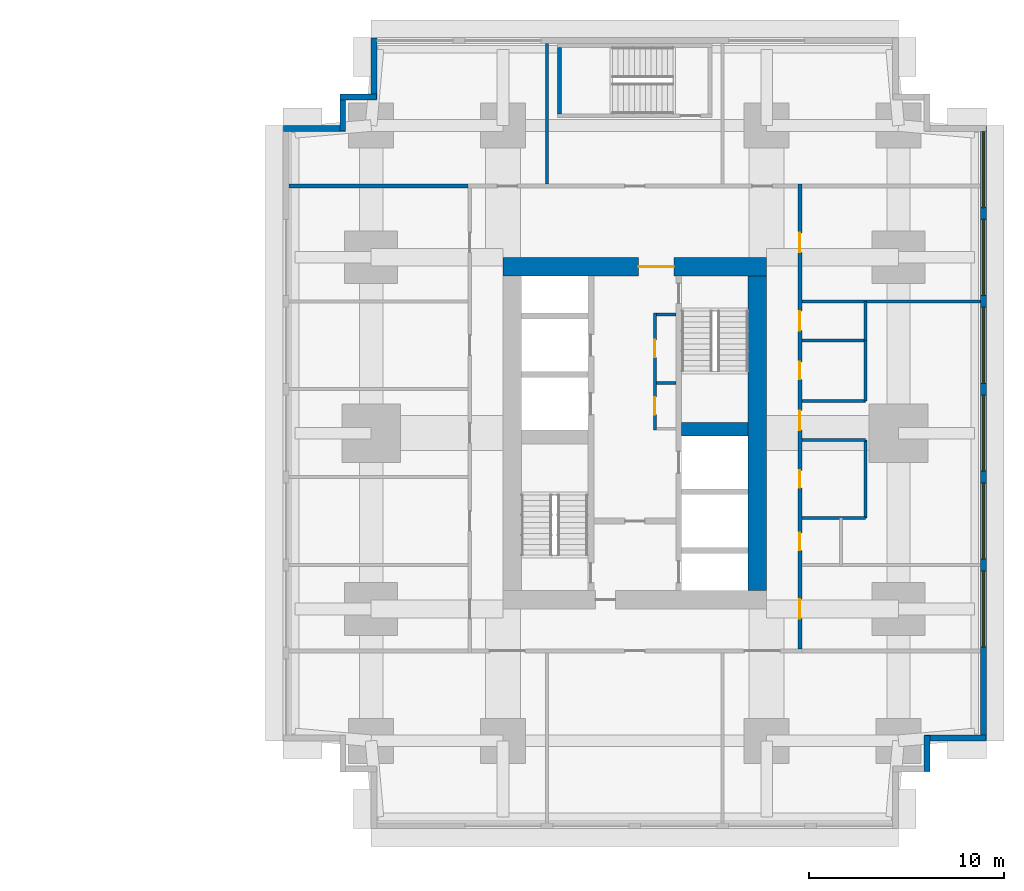
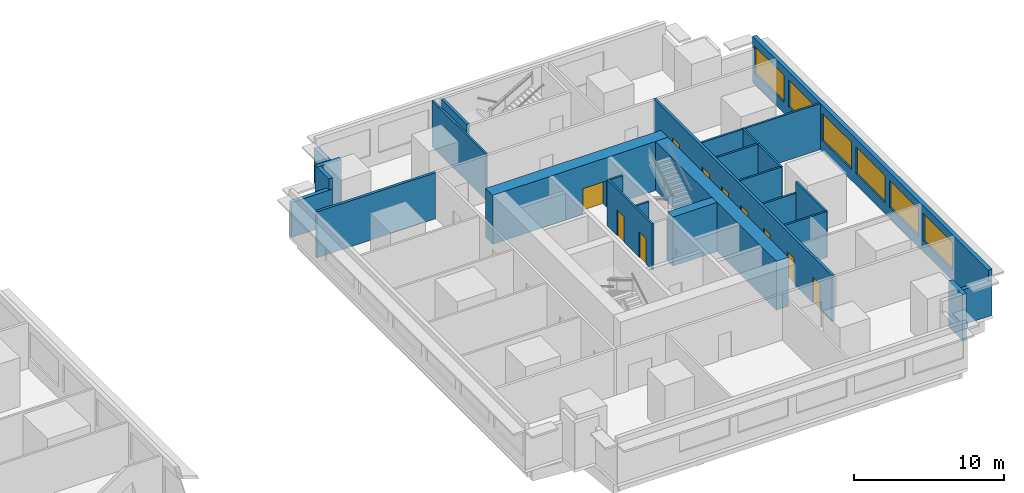
# One storey, part 7 of 11: 25 walls, 10 doors, 6 windows, 16 openings.
"""IFC4 building model written with IfcOpenShell, lengths in metres."""

from ifc_helpers import new_model, si_unit, direction, frame, frame_2d, origin, place, context, subcontext, project, spatial, rectangle, extrude, material, layer, layer_set, type_object, element, fill, save


model = new_model("IFC4")

# Units and contexts
model_context = context("Model", 3, precision=1e-05, world=origin(), true_north=direction((0.0, 1.0)))
body_context = subcontext(model_context, "Body", "Model", "MODEL_VIEW")
ifc_project = project(units=[si_unit("LENGTHUNIT", "METRE"), si_unit("AREAUNIT", "SQUARE_METRE"), si_unit("VOLUMEUNIT", "CUBIC_METRE"), si_unit("PLANEANGLEUNIT", "RADIAN"), si_unit("MASSUNIT", "GRAM", prefix="KILO")], contexts=[model_context])

# Site, building, storey
site_placement = place(None, origin())
site = spatial("IfcSite", under=ifc_project, at=site_placement, CompositionType="ELEMENT")
building_placement = place(site_placement, origin())
building = spatial("IfcBuilding", under=site, at=building_placement, Name="Namib Vertical Campus", CompositionType="ELEMENT")
storey_placement = place(building_placement, frame((0.0, 0.0, 33.0)))
storey = spatial("IfcBuildingStorey", under=building, at=storey_placement, Name="L07", CompositionType="ELEMENT", Elevation=33.0)

# Walls
ifc_material_1 = material(Name="Concrete C60/75", Category="concrete")
ifc_layer_1 = layer(ifc_material_1, 0.699951171875)
ifc_layer_set_1 = layer_set([ifc_layer_1], Name="Concrete C60/75")
wall_type_1 = type_object("IfcWallType", Name="Core shear wall 700", PredefinedType="SHEAR", material=ifc_layer_set_1)
wall_1_placement = place(storey_placement, frame((83.39990234375, 20.449951171875, 0.0), z_axis=(0.0, 0.0, 1.0), x_axis=(1.0, 0.0, 0.0)))
element("IfcWall", 1, at=wall_1_placement, inside=storey, type_object=wall_type_1, Name="Core shear wall B L07 W7", PredefinedType="SHEAR", context=body_context, shape_type="SweptSolid", body=[
    extrude(rectangle(XDim=3.400146484375, YDim=0.699951171875, at=frame_2d((1.7001953125, 0.0))), origin(), (0.0, 0.0, 1.0), 4.0),
])
ifc_material_2 = material(Name="Concrete C60/75", Category="concrete")
ifc_layer_2 = layer(ifc_material_2, 0.949951171875)
ifc_layer_set_2 = layer_set([ifc_layer_2], Name="Concrete C60/75")
wall_type_2 = type_object("IfcWallType", Name="Core wall 950", PredefinedType="SHEAR", material=ifc_layer_set_2)
wall_2_placement = place(storey_placement, frame((87.27490234375, 12.199951171875, 0.0), z_axis=(0.0, 0.0, 1.0), x_axis=(0.0, 1.0, 0.0)))
element("IfcWall", 2, at=wall_2_placement, inside=storey, type_object=wall_type_2, Name="Core wall B L07 2", PredefinedType="SHEAR", context=body_context, shape_type="SweptSolid", body=[
    extrude(rectangle(XDim=16.10009765625, YDim=0.949951171875, at=frame_2d((8.050048828125, 0.0))), origin(), (0.0, 0.0, 1.0), 4.0),
])

# Wall, opening, door
wall_3_placement = place(storey_placement, frame((87.75, 28.77490234375, 0.0), z_axis=(0.0, 0.0, 1.0), x_axis=(-1.0, 0.0, 0.0)))
wall_3 = element("IfcWall", 3, at=wall_3_placement, inside=storey, type_object=wall_type_2, Name="Core wall B L07 3", PredefinedType="SHEAR", context=body_context, shape_type="SweptSolid", body=[
    extrude(rectangle(XDim=13.5, YDim=0.949951171875, at=frame_2d((6.75, 0.0))), origin(), (0.0, 0.0, 1.0), 4.0),
])
opening_1_placement = place(wall_3_placement, frame((4.75, 0.0, 0.0)))
opening_1 = element("IfcOpeningElement", 4, at=opening_1_placement, cuts=wall_3, Name="Opening FD2", PredefinedType="OPENING", context=body_context, shape_type="SweptSolid", body=[
    extrude(rectangle(XDim=1.800048828125, YDim=2.10009765625, at=frame_2d((0.89990234375, 1.050048828125))), frame((0.0, 0.48486328125, 0.0), z_axis=(0.0, -1.0, 0.0), x_axis=(1.0, 0.0, 0.0)), (0.0, 0.0, 1.0), 0.969970703125),
])
ifc_material_3 = material(Name="Steel fire door", Category="steel")
door_type_1 = type_object("IfcDoorType", Name="Fire door double 1800x2100", OperationType="DOUBLE_DOOR_SINGLE_SWING", PredefinedType="DOOR", material=ifc_material_3)
door_1_placement = place(opening_1_placement, origin())
door_1 = element("IfcDoor", 5, at=door_1_placement, inside=storey, type_object=door_type_1, Name="Lift lobby door FD2 B L07", OperationType="DOUBLE_DOOR_SINGLE_SWING", OverallHeight=2.10009765625, OverallWidth=1.800048828125, PredefinedType="DOOR", context=body_context, shape_type="SweptSolid", body=[
    extrude(rectangle(XDim=1.800048828125, YDim=2.10009765625, at=frame_2d((0.89990234375, 1.050048828125))), frame((0.0, 0.02490234375, 0.0), z_axis=(0.0, -1.0, 0.0), x_axis=(1.0, 0.0, 0.0)), (0.0, 0.0, 1.0), 0.050048828125),
])
fill(opening_1, door_1)

# Wall, openings, doors
ifc_material_4 = material(Name="Concrete masonry", Category="masonry")
ifc_layer_3 = layer(ifc_material_4, 0.199951171875)
ifc_layer_set_3 = layer_set([ifc_layer_3], Name="Corridor wall 200")
wall_type_3 = type_object("IfcWallType", Name="Corridor wall 200", PredefinedType="SOLIDWALL", material=ifc_layer_set_3)
wall_4_placement = place(storey_placement, frame((89.449951171875, 9.199951171875, 0.0), z_axis=(0.0, 0.0, 1.0), x_axis=(0.0, 1.0, 0.0)))
wall_4 = element("IfcWall", 6, at=wall_4_placement, inside=storey, type_object=wall_type_3, Name="Corridor wall B L07 CE", PredefinedType="SOLIDWALL", context=body_context, shape_type="SweptSolid", body=[
    extrude(rectangle(XDim=23.800048828125, YDim=0.199951171875, at=frame_2d((11.89990234375, 0.0))), origin(), (0.0, 0.0, 1.0), 3.75),
])
opening_2_placement = place(wall_4_placement, frame((1.550048828125, 0.0, 0.0)))
opening_2 = element("IfcOpeningElement", 7, at=opening_2_placement, cuts=wall_4, Name="Opening CD1", PredefinedType="OPENING", context=body_context, shape_type="SweptSolid", body=[
    extrude(rectangle(XDim=1.0, YDim=2.10009765625, at=frame_2d((0.5, 1.050048828125))), frame((0.0, 0.10986328125, 0.0), z_axis=(0.0, -1.0, 0.0), x_axis=(1.0, 0.0, 0.0)), (0.0, 0.0, 1.0), 0.219970703125),
])
opening_3_placement = place(wall_4_placement, frame((5.050048828125, 0.0, 0.0)))
opening_3 = element("IfcOpeningElement", 8, at=opening_3_placement, cuts=wall_4, Name="Opening CD3", PredefinedType="OPENING", context=body_context, shape_type="SweptSolid", body=[
    extrude(rectangle(XDim=0.89990234375, YDim=2.10009765625, at=frame_2d((0.449951171875, 1.050048828125))), frame((0.0, 0.10986328125, 0.0), z_axis=(0.0, -1.0, 0.0), x_axis=(1.0, 0.0, 0.0)), (0.0, 0.0, 1.0), 0.219970703125),
])
opening_4_placement = place(wall_4_placement, frame((8.25, 0.0, 0.0)))
opening_4 = element("IfcOpeningElement", 9, at=opening_4_placement, cuts=wall_4, Name="Opening CD3", PredefinedType="OPENING", context=body_context, shape_type="SweptSolid", body=[
    extrude(rectangle(XDim=0.89990234375, YDim=2.10009765625, at=frame_2d((0.449951171875, 1.050048828125))), frame((0.0, 0.10986328125, 0.0), z_axis=(0.0, -1.0, 0.0), x_axis=(1.0, 0.0, 0.0)), (0.0, 0.0, 1.0), 0.219970703125),
])
opening_5_placement = place(wall_4_placement, frame((13.800048828125, 0.0, 0.0)))
opening_5 = element("IfcOpeningElement", 10, at=opening_5_placement, cuts=wall_4, Name="Opening CD3", PredefinedType="OPENING", context=body_context, shape_type="SweptSolid", body=[
    extrude(rectangle(XDim=0.89990234375, YDim=2.10009765625, at=frame_2d((0.449951171875, 1.050048828125))), frame((0.0, 0.10986328125, 0.0), z_axis=(0.0, -1.0, 0.0), x_axis=(1.0, 0.0, 0.0)), (0.0, 0.0, 1.0), 0.219970703125),
])
opening_6_placement = place(wall_4_placement, frame((16.300048828125, 0.0, 0.0)))
opening_6 = element("IfcOpeningElement", 11, at=opening_6_placement, cuts=wall_4, Name="Opening CD1", PredefinedType="OPENING", context=body_context, shape_type="SweptSolid", body=[
    extrude(rectangle(XDim=1.0, YDim=2.10009765625, at=frame_2d((0.5, 1.050048828125))), frame((0.0, 0.10986328125, 0.0), z_axis=(0.0, -1.0, 0.0), x_axis=(1.0, 0.0, 0.0)), (0.0, 0.0, 1.0), 0.219970703125),
])
opening_7_placement = place(wall_4_placement, frame((11.199951171875, 0.0, 0.0)))
opening_7 = element("IfcOpeningElement", 12, at=opening_7_placement, cuts=wall_4, Name="Opening CD1", PredefinedType="OPENING", context=body_context, shape_type="SweptSolid", body=[
    extrude(rectangle(XDim=1.0, YDim=2.10009765625, at=frame_2d((0.5, 1.050048828125))), frame((0.0, 0.10986328125, 0.0), z_axis=(0.0, -1.0, 0.0), x_axis=(1.0, 0.0, 0.0)), (0.0, 0.0, 1.0), 0.219970703125),
])
opening_8_placement = place(wall_4_placement, frame((20.300048828125, 0.0, 0.0)))
opening_8 = element("IfcOpeningElement", 13, at=opening_8_placement, cuts=wall_4, Name="Opening CD1", PredefinedType="OPENING", context=body_context, shape_type="SweptSolid", body=[
    extrude(rectangle(XDim=1.0, YDim=2.10009765625, at=frame_2d((0.5, 1.050048828125))), frame((0.0, 0.10986328125, 0.0), z_axis=(0.0, -1.0, 0.0), x_axis=(1.0, 0.0, 0.0)), (0.0, 0.0, 1.0), 0.219970703125),
])
ifc_material_5 = material(Name="Timber fire door leaf", Category="wood")
door_type_2 = type_object("IfcDoorType", Name="Corridor door 1000x2100 20 min", OperationType="SINGLE_SWING_LEFT", PredefinedType="DOOR", material=ifc_material_5)
door_2_placement = place(opening_2_placement, frame((1.0, 0.0, 0.0), z_axis=(0.0, 0.0, 1.0), x_axis=(-1.0, 0.0, 0.0)))
door_2 = element("IfcDoor", 14, at=door_2_placement, inside=storey, type_object=door_type_2, Name="Door CD1 B07-04", OperationType="SINGLE_SWING_RIGHT", OverallHeight=2.10009765625, OverallWidth=1.0, PredefinedType="DOOR", context=body_context, shape_type="SweptSolid", body=[
    extrude(rectangle(XDim=1.0, YDim=2.10009765625, at=frame_2d((0.5, 1.050048828125))), frame((0.0, 0.02490234375, 0.0), z_axis=(0.0, -1.0, 0.0), x_axis=(1.0, 0.0, 0.0)), (0.0, 0.0, 1.0), 0.050048828125),
])
fill(opening_2, door_2)
door_3_placement = place(opening_6_placement, frame((1.0, 0.0, 0.0), z_axis=(0.0, 0.0, 1.0), x_axis=(-1.0, 0.0, 0.0)))
door_3 = element("IfcDoor", 15, at=door_3_placement, inside=storey, type_object=door_type_2, Name="Door CD1 B07-08", OperationType="SINGLE_SWING_RIGHT", OverallHeight=2.10009765625, OverallWidth=1.0, PredefinedType="DOOR", context=body_context, shape_type="SweptSolid", body=[
    extrude(rectangle(XDim=1.0, YDim=2.10009765625, at=frame_2d((0.5, 1.050048828125))), frame((0.0, 0.02490234375, 0.0), z_axis=(0.0, -1.0, 0.0), x_axis=(1.0, 0.0, 0.0)), (0.0, 0.0, 1.0), 0.050048828125),
])
fill(opening_6, door_3)
door_4_placement = place(opening_7_placement, frame((1.0, 0.0, 0.0), z_axis=(0.0, 0.0, 1.0), x_axis=(-1.0, 0.0, 0.0)))
door_4 = element("IfcDoor", 16, at=door_4_placement, inside=storey, type_object=door_type_2, Name="Door CD1 B07-09", OperationType="SINGLE_SWING_RIGHT", OverallHeight=2.10009765625, OverallWidth=1.0, PredefinedType="DOOR", context=body_context, shape_type="SweptSolid", body=[
    extrude(rectangle(XDim=1.0, YDim=2.10009765625, at=frame_2d((0.5, 1.050048828125))), frame((0.0, 0.02490234375, 0.0), z_axis=(0.0, -1.0, 0.0), x_axis=(1.0, 0.0, 0.0)), (0.0, 0.0, 1.0), 0.050048828125),
])
fill(opening_7, door_4)
door_5_placement = place(opening_8_placement, frame((1.0, 0.0, 0.0), z_axis=(0.0, 0.0, 1.0), x_axis=(-1.0, 0.0, 0.0)))
door_5 = element("IfcDoor", 17, at=door_5_placement, inside=storey, type_object=door_type_2, Name="Door CD1 B07-10", OperationType="SINGLE_SWING_RIGHT", OverallHeight=2.10009765625, OverallWidth=1.0, PredefinedType="DOOR", context=body_context, shape_type="SweptSolid", body=[
    extrude(rectangle(XDim=1.0, YDim=2.10009765625, at=frame_2d((0.5, 1.050048828125))), frame((0.0, 0.02490234375, 0.0), z_axis=(0.0, -1.0, 0.0), x_axis=(1.0, 0.0, 0.0)), (0.0, 0.0, 1.0), 0.050048828125),
])
fill(opening_8, door_5)
ifc_material_6 = material(Name="Timber fire door leaf", Category="wood")
door_type_3 = type_object("IfcDoorType", Name="Corridor toilet door 900x2100 20 min", OperationType="SINGLE_SWING_LEFT", PredefinedType="DOOR", material=ifc_material_6)
door_6_placement = place(opening_3_placement, frame((0.89990234375, 0.0, 0.0), z_axis=(0.0, 0.0, 1.0), x_axis=(-1.0, 0.0, 0.0)))
door_6 = element("IfcDoor", 18, at=door_6_placement, inside=storey, type_object=door_type_3, Name="Door CD3 B07-05", OperationType="SINGLE_SWING_RIGHT", OverallHeight=2.10009765625, OverallWidth=0.89990234375, PredefinedType="DOOR", context=body_context, shape_type="SweptSolid", body=[
    extrude(rectangle(XDim=0.89990234375, YDim=2.10009765625, at=frame_2d((0.449951171875, 1.050048828125))), frame((0.0, 0.02490234375, 0.0), z_axis=(0.0, -1.0, 0.0), x_axis=(1.0, 0.0, 0.0)), (0.0, 0.0, 1.0), 0.050048828125),
])
fill(opening_3, door_6)
door_7_placement = place(opening_4_placement, frame((0.89990234375, 0.0, 0.0), z_axis=(0.0, 0.0, 1.0), x_axis=(-1.0, 0.0, 0.0)))
door_7 = element("IfcDoor", 19, at=door_7_placement, inside=storey, type_object=door_type_3, Name="Door CD3 B07-06", OperationType="SINGLE_SWING_RIGHT", OverallHeight=2.10009765625, OverallWidth=0.89990234375, PredefinedType="DOOR", context=body_context, shape_type="SweptSolid", body=[
    extrude(rectangle(XDim=0.89990234375, YDim=2.10009765625, at=frame_2d((0.449951171875, 1.050048828125))), frame((0.0, 0.02490234375, 0.0), z_axis=(0.0, -1.0, 0.0), x_axis=(1.0, 0.0, 0.0)), (0.0, 0.0, 1.0), 0.050048828125),
])
fill(opening_4, door_7)
door_8_placement = place(opening_5_placement, frame((0.89990234375, 0.0, 0.0), z_axis=(0.0, 0.0, 1.0), x_axis=(-1.0, 0.0, 0.0)))
door_8 = element("IfcDoor", 20, at=door_8_placement, inside=storey, type_object=door_type_3, Name="Door CD3 B07-07", OperationType="SINGLE_SWING_RIGHT", OverallHeight=2.10009765625, OverallWidth=0.89990234375, PredefinedType="DOOR", context=body_context, shape_type="SweptSolid", body=[
    extrude(rectangle(XDim=0.89990234375, YDim=2.10009765625, at=frame_2d((0.449951171875, 1.050048828125))), frame((0.0, 0.02490234375, 0.0), z_axis=(0.0, -1.0, 0.0), x_axis=(1.0, 0.0, 0.0)), (0.0, 0.0, 1.0), 0.050048828125),
])
fill(opening_5, door_8)

# Walls
wall_5_placement = place(storey_placement, frame((63.300048828125, 32.89990234375, 0.0), z_axis=(0.0, 0.0, 1.0), x_axis=(1.0, 0.0, 0.0)))
element("IfcWall", 21, at=wall_5_placement, inside=storey, type_object=wall_type_3, Name="Partition B L07 BNW", PredefinedType="SOLIDWALL", context=body_context, shape_type="SweptSolid", body=[
    extrude(rectangle(XDim=9.14990234375, YDim=0.199951171875, at=frame_2d((4.574951171875, 0.0))), origin(), (0.0, 0.0, 1.0), 3.75),
])
ifc_material_7 = material(Name="Concrete C40/50", Category="concrete")
ifc_layer_4 = layer(ifc_material_7, 0.300048828125)
ifc_layer_set_4 = layer_set([ifc_layer_4], Name="Concrete C40/50")
wall_type_4 = type_object("IfcWallType", Name="External wall 300 board-marked concrete", PredefinedType="STANDARD", material=ifc_layer_set_4)
wall_6_placement = place(storey_placement, frame((95.949951171875, 2.919921875, 0.0), z_axis=(0.0, 0.0, 1.0), x_axis=(0.0, 1.0, 0.0)))
element("IfcWall", 22, at=wall_6_placement, inside=storey, type_object=wall_type_4, Name="External wall L07 F04", PredefinedType="STANDARD", context=body_context, shape_type="SweptSolid", body=[
    extrude(rectangle(XDim=1.860107421875, YDim=0.300048828125, at=frame_2d((0.93017578125, 0.0))), origin(), (0.0, 0.0, 1.0), 3.75),
])
wall_7_placement = place(storey_placement, frame((95.820068359375, 4.64990234375, 0.0), z_axis=(0.0, 0.0, 1.0), x_axis=(1.0, 0.0, 0.0)))
element("IfcWall", 23, at=wall_7_placement, inside=storey, type_object=wall_type_4, Name="External wall L07 F05", PredefinedType="STANDARD", context=body_context, shape_type="SweptSolid", body=[
    extrude(rectangle(XDim=3.159912109375, YDim=0.300048828125, at=frame_2d((1.580078125, 0.0))), origin(), (0.0, 0.0, 1.0), 2.85009765625),
])

# Wall, openings, windows
wall_8_placement = place(storey_placement, frame((98.85009765625, 4.52001953125, 0.0), z_axis=(0.0, 0.0, 1.0), x_axis=(0.0, 1.0, 0.0)))
wall_8 = element("IfcWall", 24, at=wall_8_placement, inside=storey, type_object=wall_type_4, Name="External wall L07 F06", PredefinedType="STANDARD", context=body_context, shape_type="SweptSolid", body=[
    extrude(rectangle(XDim=31.4599609375, YDim=0.300048828125, at=frame_2d((15.72998046875, 0.0))), origin(), (0.0, 0.0, 1.0), 3.75),
])
opening_9_placement = place(wall_8_placement, frame((4.780029296875, 0.0, 0.89990234375)))
opening_9 = element("IfcOpeningElement", 25, at=opening_9_placement, cuts=wall_8, Name="Opening W1", PredefinedType="OPENING", context=body_context, shape_type="SweptSolid", body=[
    extrude(rectangle(XDim=3.89990234375, YDim=2.199951171875, at=frame_2d((1.949951171875, 1.10009765625))), frame((0.0, 0.159912109375, 0.0), z_axis=(0.0, -1.0, 0.0), x_axis=(1.0, 0.0, 0.0)), (0.0, 0.0, 1.0), 0.320068359375),
])
opening_10_placement = place(wall_8_placement, frame((9.280029296875, 0.0, 0.89990234375)))
opening_10 = element("IfcOpeningElement", 26, at=opening_10_placement, cuts=wall_8, Name="Opening W1", PredefinedType="OPENING", context=body_context, shape_type="SweptSolid", body=[
    extrude(rectangle(XDim=3.89990234375, YDim=2.199951171875, at=frame_2d((1.949951171875, 1.10009765625))), frame((0.0, 0.159912109375, 0.0), z_axis=(0.0, -1.0, 0.0), x_axis=(1.0, 0.0, 0.0)), (0.0, 0.0, 1.0), 0.320068359375),
])
opening_11_placement = place(wall_8_placement, frame((13.780029296875, 0.0, 0.89990234375)))
opening_11 = element("IfcOpeningElement", 27, at=opening_11_placement, cuts=wall_8, Name="Opening W1", PredefinedType="OPENING", context=body_context, shape_type="SweptSolid", body=[
    extrude(rectangle(XDim=3.89990234375, YDim=2.199951171875, at=frame_2d((1.949951171875, 1.10009765625))), frame((0.0, 0.159912109375, 0.0), z_axis=(0.0, -1.0, 0.0), x_axis=(1.0, 0.0, 0.0)), (0.0, 0.0, 1.0), 0.320068359375),
])
opening_12_placement = place(wall_8_placement, frame((18.280029296875, 0.0, 0.89990234375)))
opening_12 = element("IfcOpeningElement", 28, at=opening_12_placement, cuts=wall_8, Name="Opening W1", PredefinedType="OPENING", context=body_context, shape_type="SweptSolid", body=[
    extrude(rectangle(XDim=3.89990234375, YDim=2.199951171875, at=frame_2d((1.949951171875, 1.10009765625))), frame((0.0, 0.159912109375, 0.0), z_axis=(0.0, -1.0, 0.0), x_axis=(1.0, 0.0, 0.0)), (0.0, 0.0, 1.0), 0.320068359375),
])
opening_13_placement = place(wall_8_placement, frame((22.780029296875, 0.0, 0.89990234375)))
opening_13 = element("IfcOpeningElement", 29, at=opening_13_placement, cuts=wall_8, Name="Opening W1", PredefinedType="OPENING", context=body_context, shape_type="SweptSolid", body=[
    extrude(rectangle(XDim=3.89990234375, YDim=2.199951171875, at=frame_2d((1.949951171875, 1.10009765625))), frame((0.0, 0.159912109375, 0.0), z_axis=(0.0, -1.0, 0.0), x_axis=(1.0, 0.0, 0.0)), (0.0, 0.0, 1.0), 0.320068359375),
])
opening_14_placement = place(wall_8_placement, frame((27.280029296875, 0.0, 0.89990234375)))
opening_14 = element("IfcOpeningElement", 30, at=opening_14_placement, cuts=wall_8, Name="Opening W1", PredefinedType="OPENING", context=body_context, shape_type="SweptSolid", body=[
    extrude(rectangle(XDim=3.89990234375, YDim=2.199951171875, at=frame_2d((1.949951171875, 1.10009765625))), frame((0.0, 0.159912109375, 0.0), z_axis=(0.0, -1.0, 0.0), x_axis=(1.0, 0.0, 0.0)), (0.0, 0.0, 1.0), 0.320068359375),
])
ifc_material_8 = material(Name="Dark tinted glass in black aluminium frame", Category="aluminium")
window_type = type_object("IfcWindowType", Name="Ribbon window 3900x2200", PartitioningType="SINGLE_PANEL", PredefinedType="WINDOW", material=ifc_material_8)
window_1_placement = place(opening_9_placement, origin())
window_1 = element("IfcWindow", 31, at=window_1_placement, inside=storey, type_object=window_type, Name="Window W1 L07 F06-2", OverallHeight=2.199951171875, OverallWidth=3.89990234375, PartitioningType="SINGLE_PANEL", PredefinedType="WINDOW", context=body_context, shape_type="SweptSolid", body=[
    extrude(rectangle(XDim=3.89990234375, YDim=2.199951171875, at=frame_2d((1.949951171875, 1.10009765625))), frame((0.0, 0.030029296875, 0.0), z_axis=(0.0, -1.0, 0.0), x_axis=(1.0, 0.0, 0.0)), (0.0, 0.0, 1.0), 0.06005859375),
])
fill(opening_9, window_1)
window_2_placement = place(opening_10_placement, origin())
window_2 = element("IfcWindow", 32, at=window_2_placement, inside=storey, type_object=window_type, Name="Window W1 L07 F06-3", OverallHeight=2.199951171875, OverallWidth=3.89990234375, PartitioningType="SINGLE_PANEL", PredefinedType="WINDOW", context=body_context, shape_type="SweptSolid", body=[
    extrude(rectangle(XDim=3.89990234375, YDim=2.199951171875, at=frame_2d((1.949951171875, 1.10009765625))), frame((0.0, 0.030029296875, 0.0), z_axis=(0.0, -1.0, 0.0), x_axis=(1.0, 0.0, 0.0)), (0.0, 0.0, 1.0), 0.06005859375),
])
fill(opening_10, window_2)
window_3_placement = place(opening_11_placement, origin())
window_3 = element("IfcWindow", 33, at=window_3_placement, inside=storey, type_object=window_type, Name="Window W1 L07 F06-4", OverallHeight=2.199951171875, OverallWidth=3.89990234375, PartitioningType="SINGLE_PANEL", PredefinedType="WINDOW", context=body_context, shape_type="SweptSolid", body=[
    extrude(rectangle(XDim=3.89990234375, YDim=2.199951171875, at=frame_2d((1.949951171875, 1.10009765625))), frame((0.0, 0.030029296875, 0.0), z_axis=(0.0, -1.0, 0.0), x_axis=(1.0, 0.0, 0.0)), (0.0, 0.0, 1.0), 0.06005859375),
])
fill(opening_11, window_3)
window_4_placement = place(opening_12_placement, origin())
window_4 = element("IfcWindow", 34, at=window_4_placement, inside=storey, type_object=window_type, Name="Window W1 L07 F06-5", OverallHeight=2.199951171875, OverallWidth=3.89990234375, PartitioningType="SINGLE_PANEL", PredefinedType="WINDOW", context=body_context, shape_type="SweptSolid", body=[
    extrude(rectangle(XDim=3.89990234375, YDim=2.199951171875, at=frame_2d((1.949951171875, 1.10009765625))), frame((0.0, 0.030029296875, 0.0), z_axis=(0.0, -1.0, 0.0), x_axis=(1.0, 0.0, 0.0)), (0.0, 0.0, 1.0), 0.06005859375),
])
fill(opening_12, window_4)
window_5_placement = place(opening_13_placement, origin())
window_5 = element("IfcWindow", 35, at=window_5_placement, inside=storey, type_object=window_type, Name="Window W1 L07 F06-6", OverallHeight=2.199951171875, OverallWidth=3.89990234375, PartitioningType="SINGLE_PANEL", PredefinedType="WINDOW", context=body_context, shape_type="SweptSolid", body=[
    extrude(rectangle(XDim=3.89990234375, YDim=2.199951171875, at=frame_2d((1.949951171875, 1.10009765625))), frame((0.0, 0.030029296875, 0.0), z_axis=(0.0, -1.0, 0.0), x_axis=(1.0, 0.0, 0.0)), (0.0, 0.0, 1.0), 0.06005859375),
])
fill(opening_13, window_5)
window_6_placement = place(opening_14_placement, origin())
window_6 = element("IfcWindow", 36, at=window_6_placement, inside=storey, type_object=window_type, Name="Window W1 L07 F06-7", OverallHeight=2.199951171875, OverallWidth=3.89990234375, PartitioningType="SINGLE_PANEL", PredefinedType="WINDOW", context=body_context, shape_type="SweptSolid", body=[
    extrude(rectangle(XDim=3.89990234375, YDim=2.199951171875, at=frame_2d((1.949951171875, 1.10009765625))), frame((0.0, 0.030029296875, 0.0), z_axis=(0.0, -1.0, 0.0), x_axis=(1.0, 0.0, 0.0)), (0.0, 0.0, 1.0), 0.06005859375),
])
fill(opening_14, window_6)

# Walls
wall_9_placement = place(storey_placement, frame((67.64990234375, 40.47998046875, 0.0), z_axis=(0.0, 0.0, 1.0), x_axis=(0.0, -1.0, 0.0)))
element("IfcWall", 37, at=wall_9_placement, inside=storey, type_object=wall_type_4, Name="External wall L07 F12", PredefinedType="STANDARD", context=body_context, shape_type="SweptSolid", body=[
    extrude(rectangle(XDim=3.159912109375, YDim=0.300048828125, at=frame_2d((1.580078125, 0.0))), origin(), (0.0, 0.0, 1.0), 2.85009765625),
])
for number, where, z_axis, x_axis, name in (
    (38, (67.780029296875, 37.449951171875, 0.0), (0.0, 0.0, 1.0), (-1.0, 0.0, 0.0), "External wall L07 F13"),
    (39, (66.050048828125, 37.580078125, 0.0), (0.0, 0.0, 1.0), (0.0, -1.0, 0.0), "External wall L07 F14"),
):
    element("IfcWall", number, at=place(storey_placement, frame(where, z_axis=z_axis, x_axis=x_axis)), inside=storey, type_object=wall_type_4, Name=name, PredefinedType="STANDARD", context=body_context, shape_type="SweptSolid", body=[
        extrude(rectangle(XDim=1.860107421875, YDim=0.300048828125, at=frame_2d((0.93017578125, 0.0))), origin(), (0.0, 0.0, 1.0), 3.75),
    ])
wall_10_placement = place(storey_placement, frame((66.179931640625, 35.85009765625, 0.0), z_axis=(0.0, 0.0, 1.0), x_axis=(-1.0, 0.0, 0.0)))
element("IfcWall", 40, at=wall_10_placement, inside=storey, type_object=wall_type_4, Name="External wall L07 F15", PredefinedType="STANDARD", context=body_context, shape_type="SweptSolid", body=[
    extrude(rectangle(XDim=3.159912109375, YDim=0.300048828125, at=frame_2d((1.580078125, 0.0))), origin(), (0.0, 0.0, 1.0), 2.85009765625),
])

# Wall, openings, doors
ifc_material_9 = material(Name="Gypsum board on steel studs", Category="steel")
ifc_layer_5 = layer(ifc_material_9, 0.14990234375)
ifc_layer_set_5 = layer_set([ifc_layer_5], Name="Gypsum board on steel studs")
wall_type_5 = type_object("IfcWallType", Name="Partition 150", PredefinedType="PARTITIONING", material=ifc_layer_set_5)
wall_11_placement = place(storey_placement, frame((82.02490234375, 20.39990234375, 0.0), z_axis=(0.0, 0.0, 1.0), x_axis=(0.0, 1.0, 0.0)))
wall_11 = element("IfcWall", 41, at=wall_11_placement, inside=storey, type_object=wall_type_5, Name="Partition B L07 Cleaners' store and Tea point front", PredefinedType="PARTITIONING", context=body_context, shape_type="SweptSolid", body=[
    extrude(rectangle(XDim=6.0, YDim=0.14990234375, at=frame_2d((3.0, 0.0))), origin(), (0.0, 0.0, 1.0), 3.75),
])
opening_15_placement = place(wall_11_placement, frame((0.800048828125, 0.0, 0.0)))
opening_15 = element("IfcOpeningElement", 42, at=opening_15_placement, cuts=wall_11, Name="Opening D3", PredefinedType="OPENING", context=body_context, shape_type="SweptSolid", body=[
    extrude(rectangle(XDim=0.89990234375, YDim=2.10009765625, at=frame_2d((0.449951171875, 1.050048828125))), frame((0.0, 0.0849609375, 0.0), z_axis=(0.0, -1.0, 0.0), x_axis=(1.0, 0.0, 0.0)), (0.0, 0.0, 1.0), 0.169921875),
])
opening_16_placement = place(wall_11_placement, frame((3.72509765625, 0.0, 0.0)))
opening_16 = element("IfcOpeningElement", 43, at=opening_16_placement, cuts=wall_11, Name="Opening D3", PredefinedType="OPENING", context=body_context, shape_type="SweptSolid", body=[
    extrude(rectangle(XDim=0.89990234375, YDim=2.10009765625, at=frame_2d((0.449951171875, 1.050048828125))), frame((0.0, 0.0849609375, 0.0), z_axis=(0.0, -1.0, 0.0), x_axis=(1.0, 0.0, 0.0)), (0.0, 0.0, 1.0), 0.169921875),
])
ifc_material_10 = material(Name="Timber door leaf", Category="wood")
door_type_4 = type_object("IfcDoorType", Name="Toilet door 900x2100", OperationType="SINGLE_SWING_LEFT", PredefinedType="DOOR", material=ifc_material_10)
door_9_placement = place(opening_15_placement, frame((0.89990234375, 0.0, 0.0), z_axis=(0.0, 0.0, 1.0), x_axis=(-1.0, 0.0, 0.0)))
door_9 = element("IfcDoor", 44, at=door_9_placement, inside=storey, type_object=door_type_4, Name="Door D3 Cleaners' store B L07", OperationType="SINGLE_SWING_RIGHT", OverallHeight=2.10009765625, OverallWidth=0.89990234375, PredefinedType="DOOR", context=body_context, shape_type="SweptSolid", body=[
    extrude(rectangle(XDim=0.89990234375, YDim=2.10009765625, at=frame_2d((0.449951171875, 1.050048828125))), frame((0.0, 0.02490234375, 0.0), z_axis=(0.0, -1.0, 0.0), x_axis=(1.0, 0.0, 0.0)), (0.0, 0.0, 1.0), 0.050048828125),
])
fill(opening_15, door_9)
door_10_placement = place(opening_16_placement, frame((0.89990234375, 0.0, 0.0), z_axis=(0.0, 0.0, 1.0), x_axis=(-1.0, 0.0, 0.0)))
door_10 = element("IfcDoor", 45, at=door_10_placement, inside=storey, type_object=door_type_4, Name="Door D3 Tea point B L07", OperationType="SINGLE_SWING_RIGHT", OverallHeight=2.10009765625, OverallWidth=0.89990234375, PredefinedType="DOOR", context=body_context, shape_type="SweptSolid", body=[
    extrude(rectangle(XDim=0.89990234375, YDim=2.10009765625, at=frame_2d((0.449951171875, 1.050048828125))), frame((0.0, 0.02490234375, 0.0), z_axis=(0.0, -1.0, 0.0), x_axis=(1.0, 0.0, 0.0)), (0.0, 0.0, 1.0), 0.050048828125),
])
fill(opening_16, door_10)

# Walls
for number, where, z_axis, x_axis, name in (
    (46, (82.10009765625, 22.824951171875, 0.0), (0.0, 0.0, 1.0), (1.0, 0.0, 0.0), "Partition B L07 Cleaners' store and Tea point division 2"),
    (47, (82.10009765625, 26.324951171875, 0.0), (0.0, 0.0, 1.0), (1.0, 0.0, 0.0), "Partition B L07 Cleaners' store and Tea point end 3"),
):
    element("IfcWall", number, at=place(storey_placement, frame(where, z_axis=z_axis, x_axis=x_axis)), inside=storey, type_object=wall_type_5, Name=name, PredefinedType="PARTITIONING", context=body_context, shape_type="SweptSolid", body=[
        extrude(rectangle(XDim=1.0, YDim=0.14990234375, at=frame_2d((0.5, 0.0))), origin(), (0.0, 0.0, 1.0), 3.75),
    ])
wall_12_placement = place(storey_placement, frame((76.5, 33.0, 0.0), z_axis=(0.0, 0.0, 1.0), x_axis=(0.0, 1.0, 0.0)))
element("IfcWall", 48, at=wall_12_placement, inside=storey, type_object=wall_type_5, Name="Partition B L07 PN1", PredefinedType="PARTITIONING", context=body_context, shape_type="SweptSolid", body=[
    extrude(rectangle(XDim=7.199951171875, YDim=0.14990234375, at=frame_2d((3.60009765625, 0.0))), origin(), (0.0, 0.0, 1.0), 3.75),
])
wall_13_placement = place(storey_placement, frame((89.550048828125, 27.0, 0.0), z_axis=(0.0, 0.0, 1.0), x_axis=(1.0, 0.0, 0.0)))
element("IfcWall", 49, at=wall_13_placement, inside=storey, type_object=wall_type_5, Name="Partition B L07 PE2", PredefinedType="PARTITIONING", context=body_context, shape_type="SweptSolid", body=[
    extrude(rectangle(XDim=9.14990234375, YDim=0.14990234375, at=frame_2d((4.574951171875, 0.0))), origin(), (0.0, 0.0, 1.0), 3.75),
])
wall_14_placement = place(storey_placement, frame((89.550048828125, 15.89990234375, 0.0), z_axis=(0.0, 0.0, 1.0), x_axis=(1.0, 0.0, 0.0)))
element("IfcWall", 50, at=wall_14_placement, inside=storey, type_object=wall_type_5, Name="Partition B L07 WR1", PredefinedType="PARTITIONING", context=body_context, shape_type="SweptSolid", body=[
    extrude(rectangle(XDim=3.25, YDim=0.14990234375, at=frame_2d((1.625, 0.0))), origin(), (0.0, 0.0, 1.0), 3.75),
])
wall_15_placement = place(storey_placement, frame((89.550048828125, 19.89990234375, 0.0), z_axis=(0.0, 0.0, 1.0), x_axis=(1.0, 0.0, 0.0)))
element("IfcWall", 51, at=wall_15_placement, inside=storey, type_object=wall_type_5, Name="Partition B L07 WR2", PredefinedType="PARTITIONING", context=body_context, shape_type="SweptSolid", body=[
    extrude(rectangle(XDim=3.25, YDim=0.14990234375, at=frame_2d((1.625, 0.0))), origin(), (0.0, 0.0, 1.0), 2.85009765625),
])
for number, where, z_axis, x_axis, name in (
    (52, (89.550048828125, 21.89990234375, 0.0), (0.0, 0.0, 1.0), (1.0, 0.0, 0.0), "Partition B L07 WR3"),
    (53, (89.550048828125, 25.0, 0.0), (0.0, 0.0, 1.0), (1.0, 0.0, 0.0), "Partition B L07 WR4"),
):
    element("IfcWall", number, at=place(storey_placement, frame(where, z_axis=z_axis, x_axis=x_axis)), inside=storey, type_object=wall_type_5, Name=name, PredefinedType="PARTITIONING", context=body_context, shape_type="SweptSolid", body=[
        extrude(rectangle(XDim=3.25, YDim=0.14990234375, at=frame_2d((1.625, 0.0))), origin(), (0.0, 0.0, 1.0), 3.75),
    ])
wall_16_placement = place(storey_placement, frame((92.800048828125, 15.89990234375, 0.0), z_axis=(0.0, 0.0, 1.0), x_axis=(0.0, 1.0, 0.0)))
element("IfcWall", 54, at=wall_16_placement, inside=storey, type_object=wall_type_5, Name="Partition B L07 WB2", PredefinedType="PARTITIONING", context=body_context, shape_type="SweptSolid", body=[
    extrude(rectangle(XDim=4.0, YDim=0.14990234375, at=frame_2d((2.0, 0.0))), origin(), (0.0, 0.0, 1.0), 3.75),
])
wall_17_placement = place(storey_placement, frame((92.800048828125, 21.89990234375, 0.0), z_axis=(0.0, 0.0, 1.0), x_axis=(0.0, 1.0, 0.0)))
element("IfcWall", 55, at=wall_17_placement, inside=storey, type_object=wall_type_5, Name="Partition B L07 WB3", PredefinedType="PARTITIONING", context=body_context, shape_type="SweptSolid", body=[
    extrude(rectangle(XDim=3.10009765625, YDim=0.14990234375, at=frame_2d((1.550048828125, 0.0))), origin(), (0.0, 0.0, 1.0), 3.75),
])
wall_18_placement = place(storey_placement, frame((92.800048828125, 25.0, 0.0), z_axis=(0.0, 0.0, 1.0), x_axis=(0.0, 1.0, 0.0)))
element("IfcWall", 56, at=wall_18_placement, inside=storey, type_object=wall_type_5, Name="Partition B L07 WB4", PredefinedType="PARTITIONING", context=body_context, shape_type="SweptSolid", body=[
    extrude(rectangle(XDim=2.0, YDim=0.14990234375, at=frame_2d((1.0, 0.0))), origin(), (0.0, 0.0, 1.0), 3.75),
])
ifc_material_11 = material(Name="Concrete C40/50", Category="concrete")
ifc_layer_6 = layer(ifc_material_11, 0.199951171875)
ifc_layer_set_6 = layer_set([ifc_layer_6], Name="Concrete C40/50")
wall_type_6 = type_object("IfcWallType", Name="Stair enclosure wall RC 200", PredefinedType="SOLIDWALL", material=ifc_layer_set_6)
wall_19_placement = place(storey_placement, frame((77.14990234375, 36.60009765625, 0.0), z_axis=(0.0, 0.0, 1.0), x_axis=(0.0, 1.0, 0.0)))
element("IfcWall", 57, at=wall_19_placement, inside=storey, type_object=wall_type_6, Name="Stair enclosure wall B-S3 L07 W", PredefinedType="SOLIDWALL", context=body_context, shape_type="SweptSolid", body=[
    extrude(rectangle(XDim=3.39990234375, YDim=0.199951171875, at=frame_2d((1.699951171875, 0.0))), origin(), (0.0, 0.0, 1.0), 3.75),
])

save(model, "model.ifc")
